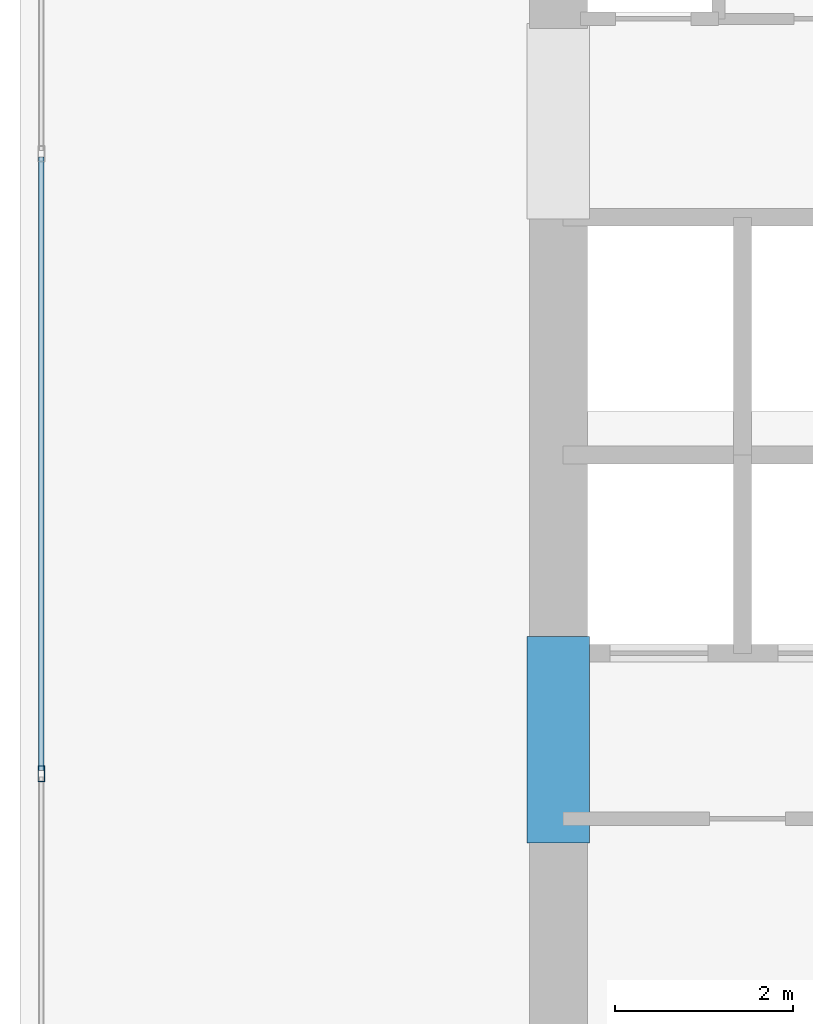
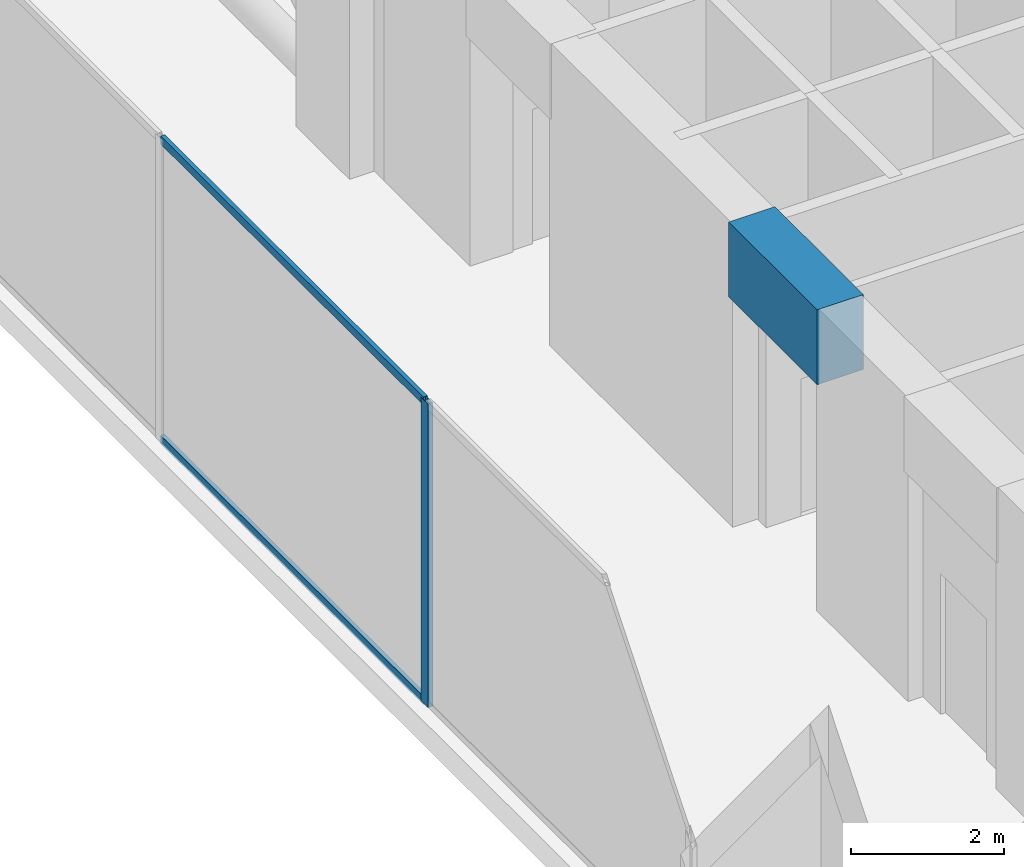
# One storey, part 4 of 37: 3 members, 1 beam, 1 element without a shape of its own.
"""IFC4 building model written with IfcOpenShell, lengths in metres."""

from ifc_helpers import new_model, si_unit, direction, frame, origin, origin_with_axes, origin_2d, place, context, subcontext, project, spatial, rectangle, hollow_rectangle, extrude, source, transform, mapped, material, layer, layer_set, material_profile, profile_set, type_object, element, aggregate, save


model = new_model("IFC4")

# Units and contexts
model_context = context("Model", 3, precision=1e-05, world=origin(), true_north=direction((0.0, 1.0)))
body_context = subcontext(model_context, "Body", "Model", "MODEL_VIEW")
ifc_project = project(units=[si_unit("LENGTHUNIT", "METRE"), si_unit("AREAUNIT", "SQUARE_METRE"), si_unit("VOLUMEUNIT", "CUBIC_METRE"), si_unit("PLANEANGLEUNIT", "RADIAN"), si_unit("MASSUNIT", "GRAM", prefix="KILO")], contexts=[model_context])

# Site, building, storey
site_placement = place(None, origin())
site = spatial("IfcSite", under=ifc_project, at=site_placement, CompositionType="ELEMENT")
building_placement = place(site_placement, origin())
building = spatial("IfcBuilding", under=site, at=building_placement, Name="Kolvaren Waterfront Exchange", CompositionType="ELEMENT")
storey_placement = place(building_placement, frame((0.0, 0.0, 141.10009765625)))
storey = spatial("IfcBuildingStorey", under=building, at=storey_placement, Name="L36", CompositionType="ELEMENT", Elevation=141.10009765625)

# Beam
ifc_material_1 = material(Name="Concrete C70/85", Category="concrete")
ifc_material_profile_1 = material_profile(ifc_material_1, rectangle(XDim=0.699951171875, YDim=1.199951171875, at=origin_2d()), Name="RC-CB-1200x700")
ifc_profile_set_1 = profile_set([ifc_material_profile_1], Name="Concrete C70/85")
beam_type = type_object("IfcBeamType", Name="STR-CB-1200", PredefinedType="SPANDREL", material=ifc_profile_set_1)
beam_placement = place(storey_placement, frame((7.449951171875, 12.090087890625, 4.260009765625), z_axis=(0.0, 1.0, 0.0), x_axis=(-1.0, 0.0, 0.0)))
element("IfcBeam", 1, at=beam_placement, inside=storey, type_object=beam_type, Name="L36 core coupling beam 4", PredefinedType="SPANDREL", context=body_context, shape_type="SweptSolid", body=[
    extrude(rectangle(XDim=0.699951171875, YDim=1.199951171875, at=origin_2d()), origin(), (0.0, 0.0, 1.0), 2.31982421875),
])

# Curtain wall, members
ifc_material_2 = material(Name="Anodised dark bronze spandrel aluminium", Category="aluminium")
ifc_layer = layer(ifc_material_2, 0.219970703125, Name="Anodised dark bronze spandrel aluminium")
ifc_layer_set = layer_set([ifc_layer], Name="Anodised dark bronze spandrel aluminium")
curtain_wall_type = type_object("IfcCurtainWallType", Name="ARC-CW-SYS6", PredefinedType="USERDEFINED", material=ifc_layer_set)
curtain_wall_placement = place(storey_placement, origin())
curtain_wall = element("IfcCurtainWall", 2, at=curtain_wall_placement, inside=storey, type_object=curtain_wall_type, Name="L36 stick curtain wall CW6 (CW-L36-W)", ObjectType="STICK CURTAIN WALL", PredefinedType="USERDEFINED")
ifc_material_3 = material(Name="Anodised bronze aluminium 6063-T6", Category="aluminium")
ifc_material_profile_2 = material_profile(ifc_material_3, hollow_rectangle(XDim=0.074951171875, YDim=0.179931640625, WallThickness=0.00439453125, at=origin_2d()), Name="ALU-MUL-180x75x4.5")
ifc_profile_set_2 = profile_set([ifc_material_profile_2], Name="Anodised bronze aluminium 6063-T6")
member_type_1 = type_object("IfcMemberType", Name="ARC-CWM-180", PredefinedType="MULLION", material=ifc_profile_set_2)
shared_shape_1 = source(origin_with_axes(), body_context, "Body", "SweptSolid", [
    extrude(hollow_rectangle(XDim=0.074951171875, YDim=0.179931640625, WallThickness=0.00439453125, at=origin_2d()), origin(), (0.0, 0.0, 1.0), 4.85986328125),
])
member_1_placement = place(storey_placement, frame((1.639892578125, 12.86669921875, 0.0), z_axis=(0.0, 0.0, 1.0), x_axis=(-1.0, 0.0, 0.0)))
member_1 = element("IfcMember", 3, at=member_1_placement, type_object=member_type_1, Name="CW6 mullion 2", PredefinedType="MULLION", context=body_context, shape_type="MappedRepresentation", body=[
    mapped(shared_shape_1, transform((0.0, 0.0, 0.0), x_axis=(1.0, 0.0, 0.0), y_axis=(0.0, 1.0, 0.0), z_axis=(0.0, 0.0, 1.0), scale=1.0)),
])
ifc_material_profile_3 = material_profile(ifc_material_3, hollow_rectangle(XDim=0.06494140625, YDim=0.1298828125, WallThickness=0.00390625, at=origin_2d()), Name="ALU-TRN-130x65x4")
ifc_profile_set_3 = profile_set([ifc_material_profile_3], Name="Anodised bronze aluminium 6063-T6")
member_type_2 = type_object("IfcMemberType", Name="ARC-CWT-130", PredefinedType="USERDEFINED", material=ifc_profile_set_3)
shared_shape_2 = source(origin_with_axes(), body_context, "Body", "SweptSolid", [
    extrude(hollow_rectangle(XDim=0.06494140625, YDim=0.1298828125, WallThickness=0.00390625, at=origin_2d()), origin(), (0.0, 0.0, 1.0), 6.891845703125),
])
member_2_placement = place(storey_placement, frame((1.639892578125, 12.904052734375, 0.032470703125), z_axis=(0.0, 1.0, 0.0), x_axis=(-1.0, 0.0, 0.0)))
member_2 = element("IfcMember", 4, at=member_2_placement, type_object=member_type_2, Name="CW6 transom 2.1", ObjectType="TRANSOM", PredefinedType="USERDEFINED", context=body_context, shape_type="MappedRepresentation", body=[
    mapped(shared_shape_2, transform((0.0, 0.0, 0.0), x_axis=(1.0, 0.0, 0.0), y_axis=(0.0, 1.0, 0.0), z_axis=(0.0, 0.0, 1.0), scale=1.0)),
])
member_3_placement = place(storey_placement, frame((1.639892578125, 12.904052734375, 4.827392578125), z_axis=(0.0, 1.0, 0.0), x_axis=(-1.0, 0.0, 0.0)))
member_3 = element("IfcMember", 5, at=member_3_placement, type_object=member_type_2, Name="CW6 transom 2.2", ObjectType="TRANSOM", PredefinedType="USERDEFINED", context=body_context, shape_type="MappedRepresentation", body=[
    mapped(shared_shape_2, transform((0.0, 0.0, 0.0), x_axis=(1.0, 0.0, 0.0), y_axis=(0.0, 1.0, 0.0), z_axis=(0.0, 0.0, 1.0), scale=1.0)),
])
aggregate(curtain_wall, [member_1, member_2, member_3])

save(model, "model.ifc")
